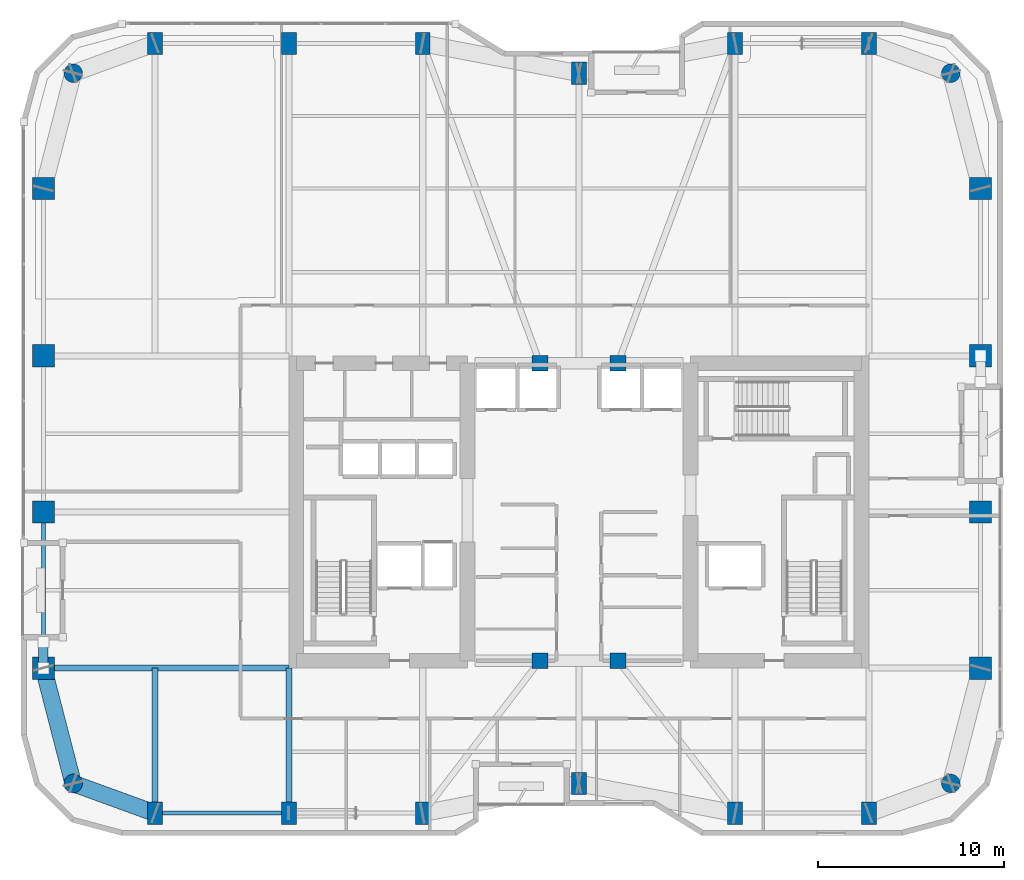
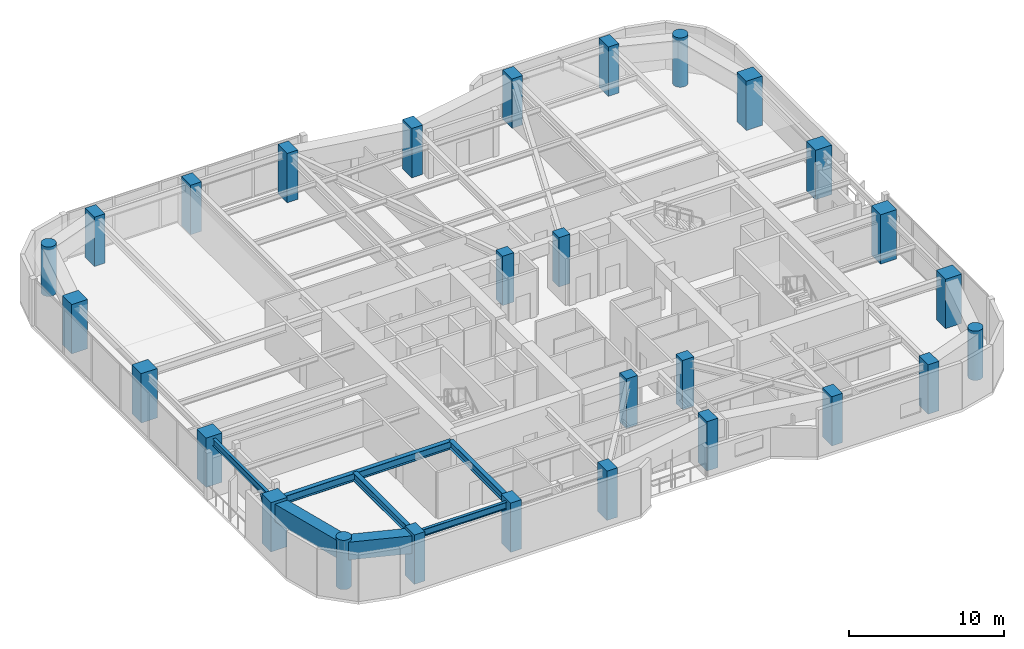
# One storey, part 1 of 30: 28 columns, 7 beams, 1 member.
"""IFC4 building model written with IfcOpenShell, lengths in metres."""

from ifc_helpers import new_model, si_unit, direction, frame, origin, origin_2d, place, context, subcontext, project, spatial, rectangle, hollow_rectangle, circle, hollow_circle, i_section, extrude, material, material_profile, profile_set, type_object, element, save


model = new_model("IFC4")

# Units and contexts
model_context = context("Model", 3, precision=1e-05, world=origin(), true_north=direction((0.0, 1.0)))
body_context = subcontext(model_context, "Body", "Model", "MODEL_VIEW")
ifc_project = project(units=[si_unit("LENGTHUNIT", "METRE"), si_unit("AREAUNIT", "SQUARE_METRE"), si_unit("VOLUMEUNIT", "CUBIC_METRE"), si_unit("PLANEANGLEUNIT", "RADIAN"), si_unit("MASSUNIT", "GRAM", prefix="KILO")], contexts=[model_context])

# Site, building, storey
site_placement = place(None, origin())
site = spatial("IfcSite", under=ifc_project, at=site_placement, CompositionType="ELEMENT")
building_placement = place(site_placement, origin())
building = spatial("IfcBuilding", under=site, at=building_placement, Name="Kiyonajd Concourse Tower", CompositionType="ELEMENT")
storey_placement = place(building_placement, frame((0.0, 0.0, 162.300048828125)))
storey = spatial("IfcBuildingStorey", under=building, at=storey_placement, Name="L41", CompositionType="ELEMENT", Elevation=162.300048828125)

# Columns
ifc_material_1 = material(Name="Concrete C70/85", Category="concrete")
ifc_material_profile_1 = material_profile(ifc_material_1, rectangle(XDim=0.800048828125, YDim=1.199951171875, at=origin_2d()), Name="RC-1200x800")
ifc_profile_set_1 = profile_set([ifc_material_profile_1], Name="Concrete C70/85")
column_type_1 = type_object("IfcColumnType", Name="CL-BLADE-1200", PredefinedType="COLUMN", material=ifc_profile_set_1)
for number, where, z_axis, x_axis, name in (
    (1, (25.199951171875, 19.800048828125, 0.0), (0.0, 0.0, 1.0), (1.0, 0.0, 0.0), "L41 Perimeter Bundled Tube Column"),
    (2, (25.199951171875, 61.199951171875, 0.0), (0.0, 0.0, 1.0), (1.0, 0.0, 0.0), "L41 Perimeter Bundled Tube Column"),
    (3, (32.39990234375, 19.800048828125, 0.0), (0.0, 0.0, 1.0), (1.0, 0.0, 0.0), "L41 Perimeter Bundled Tube Column"),
    (4, (32.39990234375, 61.199951171875, 0.0), (0.0, 0.0, 1.0), (1.0, 0.0, 0.0), "L41 Perimeter Bundled Tube Column"),
    (5, (39.60009765625, 19.800048828125, 0.0), (0.0, 0.0, 1.0), (1.0, 0.0, 0.0), "L41 Perimeter Bundled Tube Column"),
    (6, (39.60009765625, 61.199951171875, 0.0), (0.0, 0.0, 1.0), (1.0, 0.0, 0.0), "L41 Perimeter Bundled Tube Column"),
    (7, (48.0, 21.39990234375, 0.0), (0.0, 0.0, 1.0), (1.0, 0.0, 0.0), "L41 Perimeter Bundled Tube Column"),
    (8, (48.0, 59.60009765625, 0.0), (0.0, 0.0, 1.0), (1.0, 0.0, 0.0), "L41 Perimeter Bundled Tube Column"),
    (9, (56.39990234375, 19.800048828125, 0.0), (0.0, 0.0, 1.0), (1.0, 0.0, 0.0), "L41 Perimeter Bundled Tube Column"),
    (10, (56.39990234375, 61.199951171875, 0.0), (0.0, 0.0, 1.0), (1.0, 0.0, 0.0), "L41 Perimeter Bundled Tube Column"),
    (11, (63.60009765625, 19.800048828125, 0.0), (0.0, 0.0, 1.0), (1.0, 0.0, 0.0), "L41 Perimeter Bundled Tube Column"),
    (12, (63.60009765625, 61.199951171875, 0.0), (0.0, 0.0, 1.0), (1.0, 0.0, 0.0), "L41 Perimeter Bundled Tube Column"),
):
    element("IfcColumn", number, at=place(storey_placement, frame(where, z_axis=z_axis, x_axis=x_axis)), inside=storey, type_object=column_type_1, Name=name, PredefinedType="COLUMN", context=body_context, shape_type="SweptSolid", body=[
        extrude(rectangle(XDim=0.800048828125, YDim=1.199951171875, at=origin_2d()), origin(), (0.0, 0.0, 1.0), 3.89990234375),
    ])
ifc_material_2 = material(Name="Concrete C60/75", Category="concrete")
ifc_material_profile_2 = material_profile(ifc_material_2, circle(Radius=0.5, at=origin_2d()), Name="RCC-D1000")
ifc_profile_set_2 = profile_set([ifc_material_profile_2], Name="Concrete C60/75")
column_type_2 = type_object("IfcColumnType", Name="CL-RND-1000", PredefinedType="COLUMN", material=ifc_profile_set_2)
for number, where, z_axis, x_axis, name in (
    (13, (20.800048828125, 21.39990234375, 0.0), (0.0, 0.0, 1.0), (1.0, 0.0, 0.0), "L41 Bundled Tube Corner Column South West"),
    (14, (68.0, 21.39990234375, 0.0), (0.0, 0.0, 1.0), (1.0, 0.0, 0.0), "L41 Bundled Tube Corner Column South East"),
    (15, (68.0, 59.60009765625, 0.0), (0.0, 0.0, 1.0), (1.0, 0.0, 0.0), "L41 Bundled Tube Corner Column North East"),
    (16, (20.800048828125, 59.60009765625, 0.0), (0.0, 0.0, 1.0), (1.0, 0.0, 0.0), "L41 Bundled Tube Corner Column North West"),
):
    element("IfcColumn", number, at=place(storey_placement, frame(where, z_axis=z_axis, x_axis=x_axis)), inside=storey, type_object=column_type_2, Name=name, PredefinedType="COLUMN", context=body_context, shape_type="SweptSolid", body=[
        extrude(circle(Radius=0.5, at=origin_2d()), origin(), (0.0, 0.0, 1.0), 3.89990234375),
    ])
ifc_material_profile_3 = material_profile(ifc_material_1, rectangle(XDim=1.199951171875, YDim=1.199951171875, at=origin_2d()), Name="RC-1200x1200")
ifc_profile_set_3 = profile_set([ifc_material_profile_3], Name="Concrete C70/85")
column_type_3 = type_object("IfcColumnType", Name="CL-TUBE-1200", PredefinedType="COLUMN", material=ifc_profile_set_3)
for number, where, z_axis, x_axis, name in (
    (17, (19.199951171875, 27.60009765625, 0.0), (0.0, 0.0, 1.0), (1.0, 0.0, 0.0), "L41 Perimeter Bundled Tube Column"),
    (18, (69.60009765625, 27.60009765625, 0.0), (0.0, 0.0, 1.0), (1.0, 0.0, 0.0), "L41 Perimeter Bundled Tube Column"),
    (19, (19.199951171875, 36.0, 0.0), (0.0, 0.0, 1.0), (1.0, 0.0, 0.0), "L41 Perimeter Bundled Tube Column"),
    (20, (69.60009765625, 36.0, 0.0), (0.0, 0.0, 1.0), (1.0, 0.0, 0.0), "L41 Perimeter Bundled Tube Column"),
    (21, (19.199951171875, 44.39990234375, 0.0), (0.0, 0.0, 1.0), (1.0, 0.0, 0.0), "L41 Perimeter Bundled Tube Column"),
    (22, (69.60009765625, 44.39990234375, 0.0), (0.0, 0.0, 1.0), (1.0, 0.0, 0.0), "L41 Perimeter Bundled Tube Column"),
    (23, (19.199951171875, 53.39990234375, 0.0), (0.0, 0.0, 1.0), (1.0, 0.0, 0.0), "L41 Perimeter Bundled Tube Column"),
    (24, (69.60009765625, 53.39990234375, 0.0), (0.0, 0.0, 1.0), (1.0, 0.0, 0.0), "L41 Perimeter Bundled Tube Column"),
):
    element("IfcColumn", number, at=place(storey_placement, frame(where, z_axis=z_axis, x_axis=x_axis)), inside=storey, type_object=column_type_3, Name=name, PredefinedType="COLUMN", context=body_context, shape_type="SweptSolid", body=[
        extrude(rectangle(XDim=1.199951171875, YDim=1.199951171875, at=origin_2d()), origin(), (0.0, 0.0, 1.0), 3.89990234375),
    ])
ifc_material_profile_4 = material_profile(ifc_material_2, rectangle(XDim=0.85009765625, YDim=0.85009765625, at=origin_2d()), Name="RC-850x850")
ifc_profile_set_4 = profile_set([ifc_material_profile_4], Name="Concrete C60/75")
column_type_4 = type_object("IfcColumnType", Name="CL-TUBE-850", PredefinedType="COLUMN", material=ifc_profile_set_4)
for number, where, z_axis, x_axis, name in (
    (25, (45.89990234375, 28.0, 0.0), (0.0, 0.0, 1.0), (1.0, 0.0, 0.0), "L41 Core Tie Column South West"),
    (26, (50.10009765625, 28.0, 0.0), (0.0, 0.0, 1.0), (1.0, 0.0, 0.0), "L41 Core Tie Column South East"),
    (27, (45.89990234375, 44.0, 0.0), (0.0, 0.0, 1.0), (1.0, 0.0, 0.0), "L41 Core Tie Column North West"),
    (28, (50.10009765625, 44.0, 0.0), (0.0, 0.0, 1.0), (1.0, 0.0, 0.0), "L41 Core Tie Column North East"),
):
    element("IfcColumn", number, at=place(storey_placement, frame(where, z_axis=z_axis, x_axis=x_axis)), inside=storey, type_object=column_type_4, Name=name, PredefinedType="COLUMN", context=body_context, shape_type="SweptSolid", body=[
        extrude(rectangle(XDim=0.85009765625, YDim=0.85009765625, at=origin_2d()), origin(), (0.0, 0.0, 1.0), 3.89990234375),
    ])

# Beams
ifc_material_3 = material(Name="Steel ASTM A992 Grade 50", Category="steel")
ifc_material_profile_5 = material_profile(ifc_material_3, i_section(OverallWidth=0.214111328125, OverallDepth=0.549072265625, WebThickness=0.0146484375, FlangeThickness=0.023681640625, at=origin_2d()), Name="W530X138")
ifc_profile_set_5 = profile_set([ifc_material_profile_5], Name="Steel ASTM A992 Grade 50")
beam_type_1 = type_object("IfcBeamType", Name="BM-SPAN-530A", PredefinedType="SPANDREL", material=ifc_profile_set_5)
beam_1_placement = place(storey_placement, frame((25.199951171875, 19.800048828125, 3.405517578125), z_axis=(1.0, 0.0, 0.0), x_axis=(0.0, 1.0, 0.0)))
element("IfcBeam", 29, at=beam_1_placement, inside=storey, type_object=beam_type_1, Name="L41 Perimeter Bundled Tube Spandrel", PredefinedType="SPANDREL", context=body_context, shape_type="SweptSolid", body=[
    extrude(i_section(OverallWidth=0.214111328125, OverallDepth=0.549072265625, WebThickness=0.0146484375, FlangeThickness=0.023681640625, at=origin_2d()), origin(), (0.0, 0.0, 1.0), 7.199951171875),
])
beam_2_placement = place(storey_placement, frame((19.199951171875, 36.0, 3.405517578125), z_axis=(0.0, -1.0, 0.0), x_axis=(1.0, 0.0, 0.0)))
element("IfcBeam", 30, at=beam_2_placement, inside=storey, type_object=beam_type_1, Name="L41 Perimeter Bundled Tube Spandrel", PredefinedType="SPANDREL", context=body_context, shape_type="SweptSolid", body=[
    extrude(i_section(OverallWidth=0.214111328125, OverallDepth=0.549072265625, WebThickness=0.0146484375, FlangeThickness=0.023681640625, at=origin_2d()), origin(), (0.0, 0.0, 1.0), 8.39990234375),
])
ifc_material_profile_6 = material_profile(ifc_material_3, i_section(OverallWidth=0.326904296875, OverallDepth=0.6220703125, WebThickness=0.015380859375, FlangeThickness=0.0244140625, at=origin_2d()), Name="W610X195")
ifc_profile_set_6 = profile_set([ifc_material_profile_6], Name="Steel ASTM A992 Grade 50")
beam_type_2 = type_object("IfcBeamType", Name="BM-TWR-610A", PredefinedType="BEAM", material=ifc_profile_set_6)
for number, where, z_axis, x_axis, name in (
    (31, (25.199951171875, 19.800048828125, 3.368896484375), (0.0, 1.0, 0.0), (-1.0, 0.0, 0.0), "L41 South Lease Girder"),
    (32, (32.39990234375, 19.800048828125, 3.368896484375), (0.0, 1.0, 0.0), (-1.0, 0.0, 0.0), "L41 South Lease Girder"),
):
    element("IfcBeam", number, at=place(storey_placement, frame(where, z_axis=z_axis, x_axis=x_axis)), inside=storey, type_object=beam_type_2, Name=name, PredefinedType="BEAM", context=body_context, shape_type="SweptSolid", body=[
        extrude(i_section(OverallWidth=0.326904296875, OverallDepth=0.6220703125, WebThickness=0.015380859375, FlangeThickness=0.0244140625, at=origin_2d()), origin(), (0.0, 0.0, 1.0), 7.800048828125),
    ])
beam_3_placement = place(storey_placement, frame((19.199951171875, 27.60009765625, 3.368896484375), z_axis=(1.0, 0.0, 0.0), x_axis=(0.0, 1.0, 0.0)))
element("IfcBeam", 33, at=beam_3_placement, inside=storey, type_object=beam_type_2, Name="L41 West Lease Girder", PredefinedType="BEAM", context=body_context, shape_type="SweptSolid", body=[
    extrude(i_section(OverallWidth=0.326904296875, OverallDepth=0.6220703125, WebThickness=0.015380859375, FlangeThickness=0.0244140625, at=origin_2d()), origin(), (0.0, 0.0, 1.0), 13.199951171875),
])
ifc_material_4 = material(Name="Steel ASTM A572 Grade 50", Category="steel")
ifc_material_profile_7 = material_profile(ifc_material_4, hollow_rectangle(XDim=0.89990234375, YDim=1.39990234375, WallThickness=0.070068359375, at=origin_2d()), Name="BOX-1400x900x70")
ifc_profile_set_7 = profile_set([ifc_material_profile_7], Name="Steel ASTM A572 Grade 50")
beam_type_3 = type_object("IfcBeamType", Name="BM-XFER-1400", PredefinedType="BEAM", material=ifc_profile_set_7)
beam_4_placement = place(storey_placement, frame((19.199951171875, 27.60009765625, 2.97998046875), z_axis=(0.249884937687, -0.968275538221, 0.0), x_axis=(0.968275538221, 0.249884937687, 0.0)))
element("IfcBeam", 34, at=beam_4_placement, inside=storey, type_object=beam_type_3, Name="L41 Perimeter Bundled Tube Spandrel", PredefinedType="BEAM", context=body_context, shape_type="SweptSolid", body=[
    extrude(hollow_rectangle(XDim=0.89990234375, YDim=1.39990234375, WallThickness=0.070068359375, at=origin_2d()), origin(), (0.0, 0.0, 1.0), 6.4033203125),
])
beam_5_placement = place(storey_placement, frame((20.800048828125, 21.39990234375, 2.97998046875), z_axis=(0.939801036019, -0.341722127901, 0.0), x_axis=(0.341722127901, 0.939801036019, 0.0)))
element("IfcBeam", 35, at=beam_5_placement, inside=storey, type_object=beam_type_3, Name="L41 Perimeter Bundled Tube Spandrel", PredefinedType="BEAM", context=body_context, shape_type="SweptSolid", body=[
    extrude(hollow_rectangle(XDim=0.89990234375, YDim=1.39990234375, WallThickness=0.070068359375, at=origin_2d()), origin(), (0.0, 0.0, 1.0), 4.681640625),
])

# Member
ifc_material_5 = material(Name="Steel ASTM A500 Grade C", Category="steel")
ifc_material_profile_8 = material_profile(ifc_material_5, hollow_circle(Radius=0.25390625, WallThickness=0.02197265625, at=origin_2d()), Name="CHS-508x22")
ifc_profile_set_8 = profile_set([ifc_material_profile_8], Name="Steel ASTM A500 Grade C")
member_type = type_object("IfcMemberType", Name="MB-PB-MID", PredefinedType="BRACE", material=ifc_profile_set_8)
member_placement = place(storey_placement, frame((19.199951171875, 27.60009765625, 0.300048828125), z_axis=(0.0, 0.419438517439, 0.907783746323), x_axis=(-1.0, 0.0, 0.0)))
element("IfcMember", 36, at=member_placement, inside=storey, type_object=member_type, Name="L41 Upper Zone Hollow Tube Brace PBW", PredefinedType="BRACE", context=body_context, shape_type="SweptSolid", body=[
    extrude(hollow_circle(Radius=0.25390625, WallThickness=0.02197265625, at=origin_2d()), origin(), (0.0, 0.0, 1.0), 3.337646484375),
])

save(model, "model.ifc")
